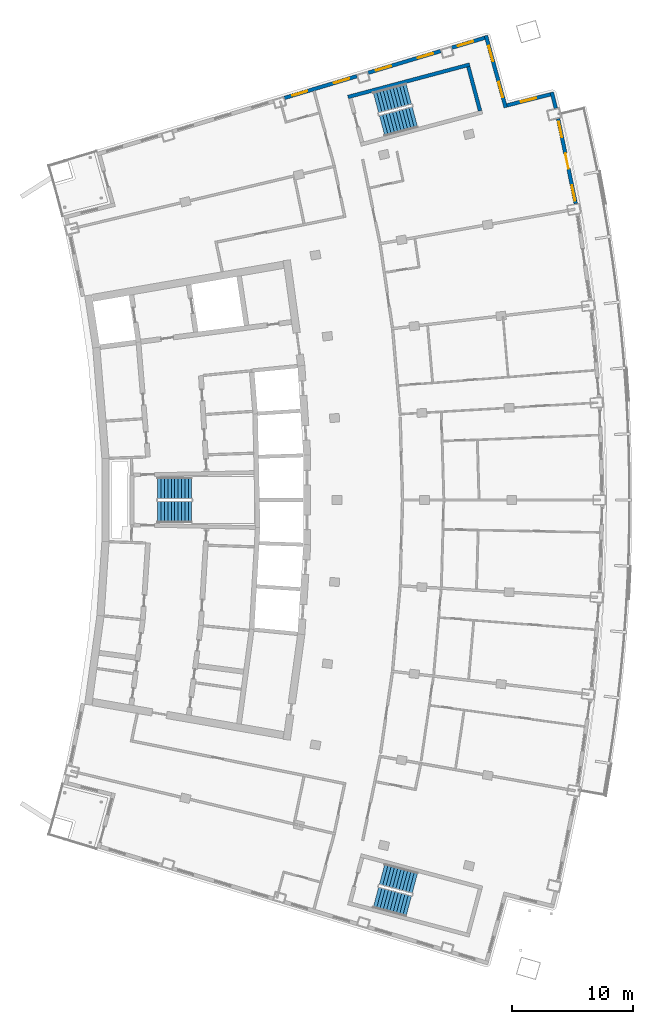
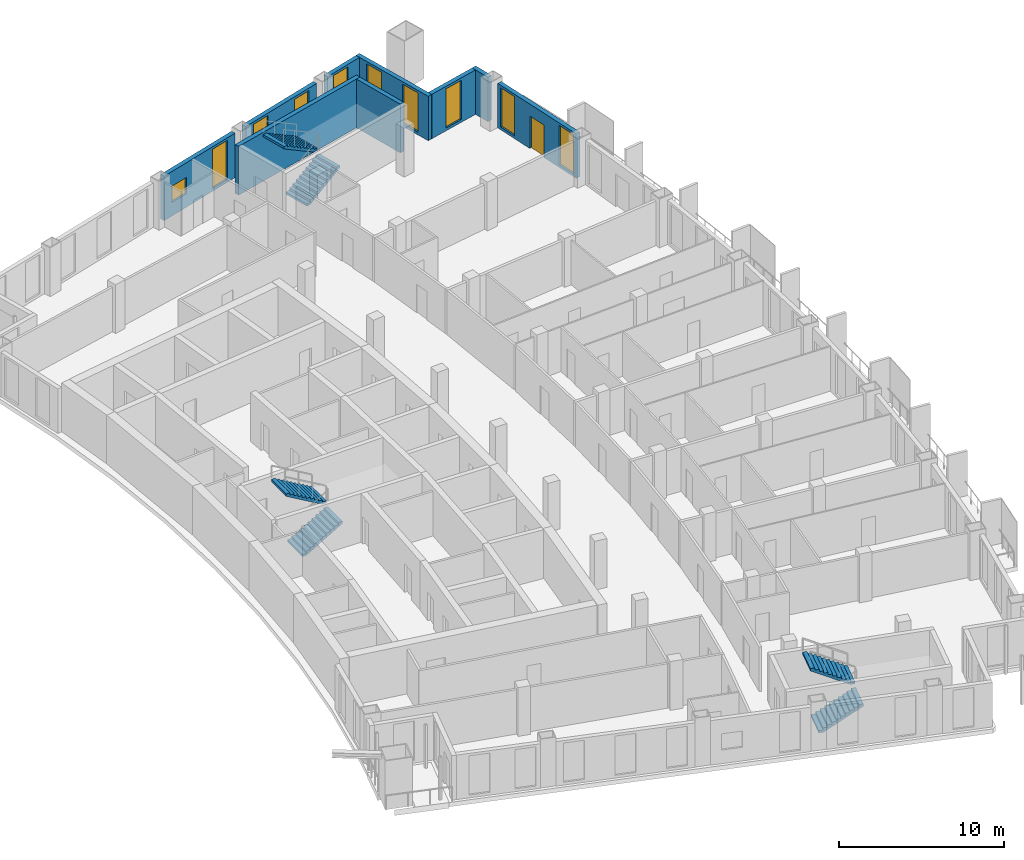
# One storey, part 15 of 18: 10 windows, 9 walls, 6 stair flights, 1 door, 11 openings, 3 elements without a shape of their own.
"""IFC4 building model written with IfcOpenShell, lengths in metres."""

from ifc_helpers import new_model, si_unit, direction, frame, frame_2d, origin, place, context, subcontext, project, spatial, polyline, rectangle, outline, extrude, material, layer, layer_set, type_object, element, fill, aggregate, save


model = new_model("IFC4")

# Units and contexts
model_context = context("Model", 3, precision=1e-05, world=origin(), true_north=direction((0.0, 1.0)))
body_context = subcontext(model_context, "Body", "Model", "MODEL_VIEW")
ifc_project = project(units=[si_unit("LENGTHUNIT", "METRE"), si_unit("AREAUNIT", "SQUARE_METRE"), si_unit("VOLUMEUNIT", "CUBIC_METRE"), si_unit("PLANEANGLEUNIT", "RADIAN"), si_unit("MASSUNIT", "GRAM", prefix="KILO")], contexts=[model_context])

# Site, building, storey
site_placement = place(None, origin())
site = spatial("IfcSite", under=ifc_project, at=site_placement, CompositionType="ELEMENT")
building_placement = place(site_placement, origin())
building = spatial("IfcBuilding", under=site, at=building_placement, Name="Alderwake Tower", CompositionType="ELEMENT")
storey_placement = place(building_placement, frame((0.0, 0.0, 225.199951171875)))
storey = spatial("IfcBuildingStorey", under=building, at=storey_placement, Name="L56", CompositionType="ELEMENT", Elevation=225.199951171875)

# Walls
ifc_material_1 = material(Name="Concrete C70/85", Category="concrete")
ifc_layer_1 = layer(ifc_material_1, 0.300048828125)
ifc_layer_set_1 = layer_set([ifc_layer_1], Name="Core wall stair enclosure 300 C70-85")
wall_type_1 = type_object("IfcWallType", Name="Core wall stair enclosure 300 C70-85", PredefinedType="SHEAR", material=ifc_layer_set_1)
wall_1_placement = place(storey_placement, frame((36.71142578125, 94.182373046875, 0.0), z_axis=(0.0, 0.0, 1.0), x_axis=(0.966309214305, 0.257383958996, 0.0)))
element("IfcWall", 1, at=wall_1_placement, inside=storey, type_object=wall_type_1, Name="Core wall CW.082", PredefinedType="SHEAR", context=body_context, shape_type="SweptSolid", body=[
    extrude(rectangle(XDim=10.360107421875, YDim=0.300048828125, at=frame_2d((5.18017578125, 0.0))), origin(), (0.0, 0.0, 1.0), 3.60009765625),
])
wall_2_placement = place(storey_placement, frame((47.581298828125, 93.041748046875, 0.0), z_axis=(0.0, 0.0, 1.0), x_axis=(-0.257366821694, 0.966313778796, 0.0)))
element("IfcWall", 2, at=wall_2_placement, inside=storey, type_object=wall_type_1, Name="Core wall CW.081", PredefinedType="SHEAR", context=body_context, shape_type="SweptSolid", body=[
    extrude(rectangle(XDim=3.749755859375, YDim=0.300048828125, at=frame_2d((1.875, 0.0))), origin(), (0.0, 0.0, 1.0), 3.60009765625),
])

# Wall, openings, door, windows
ifc_material_2 = material(Name="Precast concrete C50/60 spandrel panel", Category="concrete")
ifc_layer_2 = layer(ifc_material_2, 0.300048828125)
ifc_layer_set_2 = layer_set([ifc_layer_2], Name="External wall EW1 Precast concrete C50/60 spandrel")
wall_type_2 = type_object("IfcWallType", Name="External wall EW1 Precast concrete C50/60 spandrel", PredefinedType="SOLIDWALL", material=ifc_layer_set_2)
wall_3_placement = place(storey_placement, frame((55.456787109375, 85.404052734375, 0.0), z_axis=(0.0, 0.0, 1.0), x_axis=(-0.202739139566, 0.979232781972, 0.0)))
wall_3 = element("IfcWall", 3, at=wall_3_placement, inside=storey, type_object=wall_type_2, Name="External wall 19", PredefinedType="SOLIDWALL", context=body_context, shape_type="SweptSolid", body=[
    extrude(rectangle(XDim=7.1337890625, YDim=0.300048828125, at=frame_2d((3.56689453125, 0.0))), origin(), (0.0, 0.0, 1.0), 3.280029296875),
])
opening_1_placement = place(wall_3_placement, frame((0.24560546875, 0.0, 0.199951171875)))
opening_1 = element("IfcOpeningElement", 4, at=opening_1_placement, cuts=wall_3, Name="Opening W1", PredefinedType="OPENING", context=body_context, shape_type="SweptSolid", body=[
    extrude(rectangle(XDim=1.300048828125, YDim=2.89990234375, at=frame_2d((0.64990234375, 1.449951171875))), frame((0.0, 0.159912109375, 0.0), z_axis=(0.0, -1.0, 0.0), x_axis=(1.0, 0.0, 0.0)), (0.0, 0.0, 1.0), 0.320068359375),
])
opening_2_placement = place(wall_3_placement, frame((2.916748046875, 0.0, 0.0)))
opening_2 = element("IfcOpeningElement", 5, at=opening_2_placement, cuts=wall_3, Name="Opening D08", PredefinedType="OPENING", context=body_context, shape_type="SweptSolid", body=[
    extrude(rectangle(XDim=1.300048828125, YDim=2.39990234375, at=frame_2d((0.64990234375, 1.199951171875))), frame((0.0, 0.159912109375, 0.0), z_axis=(0.0, -1.0, 0.0), x_axis=(1.0, 0.0, 0.0)), (0.0, 0.0, 1.0), 0.320068359375),
])
opening_3_placement = place(wall_3_placement, frame((5.588134765625, 0.0, 0.199951171875)))
opening_3 = element("IfcOpeningElement", 6, at=opening_3_placement, cuts=wall_3, Name="Opening W1", PredefinedType="OPENING", context=body_context, shape_type="SweptSolid", body=[
    extrude(rectangle(XDim=1.300048828125, YDim=2.89990234375, at=frame_2d((0.64990234375, 1.449951171875))), frame((0.0, 0.159912109375, 0.0), z_axis=(0.0, -1.0, 0.0), x_axis=(1.0, 0.0, 0.0)), (0.0, 0.0, 1.0), 0.320068359375),
])
ifc_material_3 = material(Name="Bronze tinted glass in aluminium frame", Category="aluminium")
door_type = type_object("IfcDoorType", Name="Balcony door BD sliding", OperationType="SLIDING_TO_LEFT", PredefinedType="DOOR", material=ifc_material_3)
door_placement = place(opening_2_placement, origin())
door = element("IfcDoor", 7, at=door_placement, inside=storey, type_object=door_type, Name="Door D08", OperationType="SLIDING_TO_LEFT", OverallHeight=2.39990234375, OverallWidth=1.300048828125, PredefinedType="DOOR", context=body_context, shape_type="SweptSolid", body=[
    extrude(rectangle(XDim=1.300048828125, YDim=2.39990234375, at=frame_2d((0.64990234375, 1.199951171875))), frame((0.0, 0.02490234375, 0.0), z_axis=(0.0, -1.0, 0.0), x_axis=(1.0, 0.0, 0.0)), (0.0, 0.0, 1.0), 0.050048828125),
])
fill(opening_2, door)
ifc_material_4 = material(Name="Bronze tinted glass in aluminium frame", Category="aluminium")
window_type_1 = type_object("IfcWindowType", Name="Window W1 tall fixed and vent", PartitioningType="DOUBLE_PANEL_VERTICAL", PredefinedType="WINDOW", material=ifc_material_4)
window_1_placement = place(opening_1_placement, origin())
window_1 = element("IfcWindow", 8, at=window_1_placement, inside=storey, type_object=window_type_1, Name="Window W1 tall fixed and vent", OverallHeight=2.89990234375, OverallWidth=1.300048828125, PartitioningType="DOUBLE_PANEL_VERTICAL", PredefinedType="WINDOW", context=body_context, shape_type="SweptSolid", body=[
    extrude(rectangle(XDim=1.300048828125, YDim=2.89990234375, at=frame_2d((0.64990234375, 1.449951171875))), frame((0.0, 0.030029296875, 0.0), z_axis=(0.0, -1.0, 0.0), x_axis=(1.0, 0.0, 0.0)), (0.0, 0.0, 1.0), 0.06005859375),
])
fill(opening_1, window_1)
window_2_placement = place(opening_3_placement, origin())
window_2 = element("IfcWindow", 9, at=window_2_placement, inside=storey, type_object=window_type_1, Name="Window W1 tall fixed and vent", OverallHeight=2.89990234375, OverallWidth=1.300048828125, PartitioningType="DOUBLE_PANEL_VERTICAL", PredefinedType="WINDOW", context=body_context, shape_type="SweptSolid", body=[
    extrude(rectangle(XDim=1.300048828125, YDim=2.89990234375, at=frame_2d((0.64990234375, 1.449951171875))), frame((0.0, 0.030029296875, 0.0), z_axis=(0.0, -1.0, 0.0), x_axis=(1.0, 0.0, 0.0)), (0.0, 0.0, 1.0), 0.06005859375),
])
fill(opening_3, window_2)

# Wall
wall_4_placement = place(storey_placement, frame((53.817138671875, 93.24609375, 0.0), z_axis=(0.0, 0.0, 1.0), x_axis=(-0.238360405039, 0.971176769342, 0.0)))
element("IfcWall", 10, at=wall_4_placement, inside=storey, type_object=wall_type_2, Name="External wall 20", PredefinedType="SOLIDWALL", context=body_context, shape_type="SweptSolid", body=[
    extrude(rectangle(XDim=1.376708984375, YDim=0.300048828125, at=frame_2d((0.6884765625, 0.0))), origin(), (0.0, 0.0, 1.0), 3.280029296875),
])

# Wall, opening, window
ifc_material_5 = material(Name="Bronze metal cladding on lightweight framing")
ifc_layer_3 = layer(ifc_material_5, 0.300048828125)
ifc_layer_set_3 = layer_set([ifc_layer_3], Name="External wall EW2 bronze metal cladding")
wall_type_3 = type_object("IfcWallType", Name="External wall EW2 bronze metal cladding", PredefinedType="SOLIDWALL", material=ifc_layer_set_3)
wall_5_placement = place(storey_placement, frame((53.37939453125, 94.400390625, 0.0), z_axis=(0.0, 0.0, 1.0), x_axis=(-0.969426922046, -0.245380200529, 0.0)))
wall_5 = element("IfcWall", 11, at=wall_5_placement, inside=storey, type_object=wall_type_3, Name="External wall 21", PredefinedType="SOLIDWALL", context=body_context, shape_type="SweptSolid", body=[
    extrude(rectangle(XDim=3.6943359375, YDim=0.300048828125, at=frame_2d((1.84716796875, 0.0))), origin(), (0.0, 0.0, 1.0), 3.280029296875),
])
opening_4_placement = place(wall_5_placement, frame((1.197021484375, 0.0, 0.199951171875)))
opening_4 = element("IfcOpeningElement", 12, at=opening_4_placement, cuts=wall_5, Name="Opening W1", PredefinedType="OPENING", context=body_context, shape_type="SweptSolid", body=[
    extrude(rectangle(XDim=1.300048828125, YDim=2.89990234375, at=frame_2d((0.64990234375, 1.449951171875))), frame((0.0, 0.159912109375, 0.0), z_axis=(0.0, -1.0, 0.0), x_axis=(1.0, 0.0, 0.0)), (0.0, 0.0, 1.0), 0.320068359375),
])
window_3_placement = place(opening_4_placement, origin())
window_3 = element("IfcWindow", 13, at=window_3_placement, inside=storey, type_object=window_type_1, Name="Window W1 tall fixed and vent", OverallHeight=2.89990234375, OverallWidth=1.300048828125, PartitioningType="DOUBLE_PANEL_VERTICAL", PredefinedType="WINDOW", context=body_context, shape_type="SweptSolid", body=[
    extrude(rectangle(XDim=1.300048828125, YDim=2.89990234375, at=frame_2d((0.64990234375, 1.449951171875))), frame((0.0, 0.030029296875, 0.0), z_axis=(0.0, -1.0, 0.0), x_axis=(1.0, 0.0, 0.0)), (0.0, 0.0, 1.0), 0.06005859375),
])
fill(opening_4, window_3)

# Wall, openings, windows
wall_6_placement = place(storey_placement, frame((49.6923828125, 93.3125, 0.0), z_axis=(0.0, 0.0, 1.0), x_axis=(-0.265086321633, 0.96422468444, 0.0)))
wall_6 = element("IfcWall", 14, at=wall_6_placement, inside=storey, type_object=wall_type_3, Name="External wall 22", PredefinedType="SOLIDWALL", context=body_context, shape_type="SweptSolid", body=[
    extrude(rectangle(XDim=6.146728515625, YDim=0.300048828125, at=frame_2d((3.0732421875, 0.0))), origin(), (0.0, 0.0, 1.0), 3.280029296875),
])
opening_5_placement = place(wall_6_placement, frame((0.88671875, 0.0, 0.199951171875)))
opening_5 = element("IfcOpeningElement", 15, at=opening_5_placement, cuts=wall_6, Name="Opening W1", PredefinedType="OPENING", context=body_context, shape_type="SweptSolid", body=[
    extrude(rectangle(XDim=1.300048828125, YDim=2.89990234375, at=frame_2d((0.64990234375, 1.449951171875))), frame((0.0, 0.159912109375, 0.0), z_axis=(0.0, -1.0, 0.0), x_axis=(1.0, 0.0, 0.0)), (0.0, 0.0, 1.0), 0.320068359375),
])
opening_6_placement = place(wall_6_placement, frame((3.9599609375, 0.0, 0.199951171875)))
opening_6 = element("IfcOpeningElement", 16, at=opening_6_placement, cuts=wall_6, Name="Opening W1", PredefinedType="OPENING", context=body_context, shape_type="SweptSolid", body=[
    extrude(rectangle(XDim=1.300048828125, YDim=2.89990234375, at=frame_2d((0.64990234375, 1.449951171875))), frame((0.0, 0.159912109375, 0.0), z_axis=(0.0, -1.0, 0.0), x_axis=(1.0, 0.0, 0.0)), (0.0, 0.0, 1.0), 0.320068359375),
])
window_4_placement = place(opening_5_placement, origin())
window_4 = element("IfcWindow", 17, at=window_4_placement, inside=storey, type_object=window_type_1, Name="Window W1 tall fixed and vent", OverallHeight=2.89990234375, OverallWidth=1.300048828125, PartitioningType="DOUBLE_PANEL_VERTICAL", PredefinedType="WINDOW", context=body_context, shape_type="SweptSolid", body=[
    extrude(rectangle(XDim=1.300048828125, YDim=2.89990234375, at=frame_2d((0.64990234375, 1.449951171875))), frame((0.0, 0.030029296875, 0.0), z_axis=(0.0, -1.0, 0.0), x_axis=(1.0, 0.0, 0.0)), (0.0, 0.0, 1.0), 0.06005859375),
])
fill(opening_5, window_4)
window_5_placement = place(opening_6_placement, origin())
window_5 = element("IfcWindow", 18, at=window_5_placement, inside=storey, type_object=window_type_1, Name="Window W1 tall fixed and vent", OverallHeight=2.89990234375, OverallWidth=1.300048828125, PartitioningType="DOUBLE_PANEL_VERTICAL", PredefinedType="WINDOW", context=body_context, shape_type="SweptSolid", body=[
    extrude(rectangle(XDim=1.300048828125, YDim=2.89990234375, at=frame_2d((0.64990234375, 1.449951171875))), frame((0.0, 0.030029296875, 0.0), z_axis=(0.0, -1.0, 0.0), x_axis=(1.0, 0.0, 0.0)), (0.0, 0.0, 1.0), 0.06005859375),
])
fill(opening_6, window_5)

# Wall, opening, window
wall_7_placement = place(storey_placement, frame((47.959228515625, 99.051513671875, 0.0), z_axis=(0.0, 0.0, 1.0), x_axis=(-0.957764339178, -0.287554291569, 0.0)))
wall_7 = element("IfcWall", 19, at=wall_7_placement, inside=storey, type_object=wall_type_3, Name="External wall 23", PredefinedType="SOLIDWALL", context=body_context, shape_type="SweptSolid", body=[
    extrude(rectangle(XDim=2.8212890625, YDim=0.300048828125, at=frame_2d((1.41064453125, 0.0))), origin(), (0.0, 0.0, 1.0), 3.280029296875),
])
opening_7_placement = place(wall_7_placement, frame((0.9990234375, 0.0, 0.199951171875)))
opening_7 = element("IfcOpeningElement", 20, at=opening_7_placement, cuts=wall_7, Name="Opening W1", PredefinedType="OPENING", context=body_context, shape_type="SweptSolid", body=[
    extrude(rectangle(XDim=1.300048828125, YDim=2.89990234375, at=frame_2d((0.64990234375, 1.449951171875))), frame((0.0, 0.159912109375, 0.0), z_axis=(0.0, -1.0, 0.0), x_axis=(1.0, 0.0, 0.0)), (0.0, 0.0, 1.0), 0.320068359375),
])
window_6_placement = place(opening_7_placement, origin())
window_6 = element("IfcWindow", 21, at=window_6_placement, inside=storey, type_object=window_type_1, Name="Window W1 tall fixed and vent", OverallHeight=2.89990234375, OverallWidth=1.300048828125, PartitioningType="DOUBLE_PANEL_VERTICAL", PredefinedType="WINDOW", context=body_context, shape_type="SweptSolid", body=[
    extrude(rectangle(XDim=1.300048828125, YDim=2.89990234375, at=frame_2d((0.64990234375, 1.449951171875))), frame((0.0, 0.030029296875, 0.0), z_axis=(0.0, -1.0, 0.0), x_axis=(1.0, 0.0, 0.0)), (0.0, 0.0, 1.0), 0.06005859375),
])
fill(opening_7, window_6)

# Wall, openings, windows
wall_8_placement = place(storey_placement, frame((44.34375, 97.966064453125, 0.0), z_axis=(0.0, 0.0, 1.0), x_axis=(-0.95776710022, -0.287545095136, 0.0)))
wall_8 = element("IfcWall", 22, at=wall_8_placement, inside=storey, type_object=wall_type_3, Name="External wall 24", PredefinedType="SOLIDWALL", context=body_context, shape_type="SweptSolid", body=[
    extrude(rectangle(XDim=6.24658203125, YDim=0.300048828125, at=frame_2d((3.123291015625, 0.0))), origin(), (0.0, 0.0, 1.0), 3.280029296875),
])
opening_8_placement = place(wall_8_placement, frame((0.67333984375, 0.0, 0.199951171875)))
opening_8 = element("IfcOpeningElement", 23, at=opening_8_placement, cuts=wall_8, Name="Opening W1", PredefinedType="OPENING", context=body_context, shape_type="SweptSolid", body=[
    extrude(rectangle(XDim=1.300048828125, YDim=2.89990234375, at=frame_2d((0.64990234375, 1.449951171875))), frame((0.0, 0.159912109375, 0.0), z_axis=(0.0, -1.0, 0.0), x_axis=(1.0, 0.0, 0.0)), (0.0, 0.0, 1.0), 0.320068359375),
])
opening_9_placement = place(wall_8_placement, frame((4.273193359375, 0.0, 0.199951171875)))
opening_9 = element("IfcOpeningElement", 24, at=opening_9_placement, cuts=wall_8, Name="Opening W1", PredefinedType="OPENING", context=body_context, shape_type="SweptSolid", body=[
    extrude(rectangle(XDim=1.300048828125, YDim=2.89990234375, at=frame_2d((0.64990234375, 1.449951171875))), frame((0.0, 0.159912109375, 0.0), z_axis=(0.0, -1.0, 0.0), x_axis=(1.0, 0.0, 0.0)), (0.0, 0.0, 1.0), 0.320068359375),
])
window_7_placement = place(opening_8_placement, origin())
window_7 = element("IfcWindow", 25, at=window_7_placement, inside=storey, type_object=window_type_1, Name="Window W1 tall fixed and vent", OverallHeight=2.89990234375, OverallWidth=1.300048828125, PartitioningType="DOUBLE_PANEL_VERTICAL", PredefinedType="WINDOW", context=body_context, shape_type="SweptSolid", body=[
    extrude(rectangle(XDim=1.300048828125, YDim=2.89990234375, at=frame_2d((0.64990234375, 1.449951171875))), frame((0.0, 0.030029296875, 0.0), z_axis=(0.0, -1.0, 0.0), x_axis=(1.0, 0.0, 0.0)), (0.0, 0.0, 1.0), 0.06005859375),
])
fill(opening_8, window_7)
window_8_placement = place(opening_9_placement, origin())
window_8 = element("IfcWindow", 26, at=window_8_placement, inside=storey, type_object=window_type_1, Name="Window W1 tall fixed and vent", OverallHeight=2.89990234375, OverallWidth=1.300048828125, PartitioningType="DOUBLE_PANEL_VERTICAL", PredefinedType="WINDOW", context=body_context, shape_type="SweptSolid", body=[
    extrude(rectangle(XDim=1.300048828125, YDim=2.89990234375, at=frame_2d((0.64990234375, 1.449951171875))), frame((0.0, 0.030029296875, 0.0), z_axis=(0.0, -1.0, 0.0), x_axis=(1.0, 0.0, 0.0)), (0.0, 0.0, 1.0), 0.06005859375),
])
fill(opening_9, window_8)

wall_9_placement = place(storey_placement, frame((37.44775390625, 95.895751953125, 0.0), z_axis=(0.0, 0.0, 1.0), x_axis=(-0.95776710022, -0.287545095136, 0.0)))
wall_9 = element("IfcWall", 27, at=wall_9_placement, inside=storey, type_object=wall_type_3, Name="External wall 25", PredefinedType="SOLIDWALL", context=body_context, shape_type="SweptSolid", body=[
    extrude(rectangle(XDim=6.24658203125, YDim=0.300048828125, at=frame_2d((3.123291015625, 0.0))), origin(), (0.0, 0.0, 1.0), 3.280029296875),
])
opening_10_placement = place(wall_9_placement, frame((0.673095703125, 0.0, 0.199951171875)))
opening_10 = element("IfcOpeningElement", 28, at=opening_10_placement, cuts=wall_9, Name="Opening W1", PredefinedType="OPENING", context=body_context, shape_type="SweptSolid", body=[
    extrude(rectangle(XDim=1.300048828125, YDim=2.89990234375, at=frame_2d((0.64990234375, 1.449951171875))), frame((0.0, 0.159912109375, 0.0), z_axis=(0.0, -1.0, 0.0), x_axis=(1.0, 0.0, 0.0)), (0.0, 0.0, 1.0), 0.320068359375),
])
opening_11_placement = place(wall_9_placement, frame((4.273193359375, 0.0, 1.0)))
opening_11 = element("IfcOpeningElement", 29, at=opening_11_placement, cuts=wall_9, Name="Opening W2", PredefinedType="OPENING", context=body_context, shape_type="SweptSolid", body=[
    extrude(rectangle(XDim=1.300048828125, YDim=1.199951171875, at=frame_2d((0.64990234375, 0.60009765625))), frame((0.0, 0.159912109375, 0.0), z_axis=(0.0, -1.0, 0.0), x_axis=(1.0, 0.0, 0.0)), (0.0, 0.0, 1.0), 0.320068359375),
])
window_9_placement = place(opening_10_placement, origin())
window_9 = element("IfcWindow", 30, at=window_9_placement, inside=storey, type_object=window_type_1, Name="Window W1 tall fixed and vent", OverallHeight=2.89990234375, OverallWidth=1.300048828125, PartitioningType="DOUBLE_PANEL_VERTICAL", PredefinedType="WINDOW", context=body_context, shape_type="SweptSolid", body=[
    extrude(rectangle(XDim=1.300048828125, YDim=2.89990234375, at=frame_2d((0.64990234375, 1.449951171875))), frame((0.0, 0.030029296875, 0.0), z_axis=(0.0, -1.0, 0.0), x_axis=(1.0, 0.0, 0.0)), (0.0, 0.0, 1.0), 0.06005859375),
])
fill(opening_10, window_9)
ifc_material_6 = material(Name="Bronze tinted glass in aluminium frame", Category="aluminium")
window_type_2 = type_object("IfcWindowType", Name="Window W2 kitchen and bath", PartitioningType="SINGLE_PANEL", PredefinedType="WINDOW", material=ifc_material_6)
window_10_placement = place(opening_11_placement, origin())
window_10 = element("IfcWindow", 31, at=window_10_placement, inside=storey, type_object=window_type_2, Name="Window W2 kitchen and bath", OverallHeight=1.199951171875, OverallWidth=1.300048828125, PartitioningType="SINGLE_PANEL", PredefinedType="WINDOW", context=body_context, shape_type="SweptSolid", body=[
    extrude(rectangle(XDim=1.300048828125, YDim=1.199951171875, at=frame_2d((0.64990234375, 0.60009765625))), frame((0.0, 0.030029296875, 0.0), z_axis=(0.0, -1.0, 0.0), x_axis=(1.0, 0.0, 0.0)), (0.0, 0.0, 1.0), 0.06005859375),
])
fill(opening_11, window_10)

# Stair, stair flights
ifc_material_7 = material(Name="Concrete C40/50", Category="concrete")
stair_type = type_object("IfcStairType", Name="Core exit stair", PredefinedType="HALF_TURN_STAIR", material=ifc_material_7)
stair_1_placement = place(storey_placement, origin())
stair_1 = element("IfcStair", 32, at=stair_1_placement, inside=storey, type_object=stair_type, Name="L56 Exit Stair B", PredefinedType="HALF_TURN_STAIR")
ifc_material_8 = material(Name="Concrete C40/50", Category="concrete")
ifc_layer_4 = layer(ifc_material_8, 0.14990234375)
ifc_layer_set_4 = layer_set([ifc_layer_4], Name="Core stair flight")
stair_flight_type = type_object("IfcStairFlightType", Name="Core stair flight", PredefinedType="STRAIGHT", material=ifc_layer_set_4)
stair_flight_1_placement = place(storey_placement, frame((21.0400390625, 60.02490234375, 0.0), z_axis=(0.0, 0.0, 1.0), x_axis=(1.0, 0.0, 0.0)))
stair_flight_1 = element("IfcStairFlight", 33, at=stair_flight_1_placement, type_object=stair_flight_type, Name="ST-B flight 1", NumberOfRisers=11, NumberOfTreads=10, PredefinedType="STRAIGHT", RiserHeight=0.163636364, TreadLength=0.28, context=body_context, shape_type="SweptSolid", body=[
    extrude(outline(polyline([(0.0, 0.0), (0.0, 0.16357421875), (0.280029296875, 0.16357421875), (0.280029296875, 0.327392578125), (0.56005859375, 0.327392578125), (0.56005859375, 0.490966796875), (0.840087890625, 0.490966796875), (0.840087890625, 0.654541015625), (1.1201171875, 0.654541015625), (1.1201171875, 0.818115234375), (1.39990234375, 0.818115234375), (1.39990234375, 0.98193359375), (1.679931640625, 0.98193359375), (1.679931640625, 1.1455078125), (1.9599609375, 1.1455078125), (1.9599609375, 1.30908203125), (2.239990234375, 1.30908203125), (2.239990234375, 1.47265625), (2.52001953125, 1.47265625), (2.52001953125, 1.636474609375), (2.800048828125, 1.636474609375), (2.800048828125, 1.800048828125), (2.800048828125, 1.462646484375), (0.297119140625, 0.0), (0.0, 0.0)])), frame((0.0, 0.89990234375, 0.0), z_axis=(0.0, -1.0, 0.0), x_axis=(1.0, 0.0, 0.0)), (0.0, 0.0, 1.0), 1.800048828125),
])
stair_flight_2_placement = place(storey_placement, frame((23.840087890625, 61.97509765625, 1.800048828125), z_axis=(0.0, 0.0, 1.0), x_axis=(-1.0, 0.0, 0.0)))
stair_flight_2 = element("IfcStairFlight", 34, at=stair_flight_2_placement, type_object=stair_flight_type, Name="ST-B flight 2", NumberOfRisers=11, NumberOfTreads=10, PredefinedType="STRAIGHT", RiserHeight=0.163636364, TreadLength=0.28, context=body_context, shape_type="SweptSolid", body=[
    extrude(outline(polyline([(0.0, 0.0), (0.0, 0.16357421875), (0.280029296875, 0.16357421875), (0.280029296875, 0.327392578125), (0.56005859375, 0.327392578125), (0.56005859375, 0.490966796875), (0.840087890625, 0.490966796875), (0.840087890625, 0.654541015625), (1.1201171875, 0.654541015625), (1.1201171875, 0.818115234375), (1.39990234375, 0.818115234375), (1.39990234375, 0.98193359375), (1.679931640625, 0.98193359375), (1.679931640625, 1.1455078125), (1.9599609375, 1.1455078125), (1.9599609375, 1.30908203125), (2.239990234375, 1.30908203125), (2.239990234375, 1.47265625), (2.52001953125, 1.47265625), (2.52001953125, 1.636474609375), (2.800048828125, 1.636474609375), (2.800048828125, 1.800048828125), (2.800048828125, 1.462646484375), (0.297119140625, 0.0), (0.0, 0.0)])), frame((0.0, 0.89990234375, 0.0), z_axis=(0.0, -1.0, 0.0), x_axis=(1.0, 0.0, 0.0)), (0.0, 0.0, 1.0), 1.800048828125),
])
aggregate(stair_1, [stair_flight_1, stair_flight_2])

stair_2_placement = place(storey_placement, origin())
stair_2 = element("IfcStair", 35, at=stair_2_placement, inside=storey, type_object=stair_type, Name="L56 Exit Stair A", PredefinedType="HALF_TURN_STAIR")
stair_flight_3_placement = place(storey_placement, frame((39.512939453125, 91.823974609375, 0.0), z_axis=(0.0, 0.0, 1.0), x_axis=(0.966309627437, 0.257382407951, 0.0)))
stair_flight_3 = element("IfcStairFlight", 36, at=stair_flight_3_placement, type_object=stair_flight_type, Name="ST-A flight 1", NumberOfRisers=11, NumberOfTreads=10, PredefinedType="STRAIGHT", RiserHeight=0.163636364, TreadLength=0.28, context=body_context, shape_type="SweptSolid", body=[
    extrude(outline(polyline([(0.0, 0.0), (0.0, 0.16357421875), (0.280029296875, 0.16357421875), (0.280029296875, 0.327392578125), (0.56005859375, 0.327392578125), (0.56005859375, 0.490966796875), (0.840087890625, 0.490966796875), (0.840087890625, 0.654541015625), (1.1201171875, 0.654541015625), (1.1201171875, 0.818115234375), (1.39990234375, 0.818115234375), (1.39990234375, 0.98193359375), (1.679931640625, 0.98193359375), (1.679931640625, 1.1455078125), (1.9599609375, 1.1455078125), (1.9599609375, 1.30908203125), (2.239990234375, 1.30908203125), (2.239990234375, 1.47265625), (2.52001953125, 1.47265625), (2.52001953125, 1.636474609375), (2.800048828125, 1.636474609375), (2.800048828125, 1.800048828125), (2.800048828125, 1.462646484375), (0.297119140625, 0.0), (0.0, 0.0)])), frame((0.0, 0.89990234375, 0.0), z_axis=(0.0, -1.0, 0.0), x_axis=(1.0, 0.0, 0.0)), (0.0, 0.0, 1.0), 1.800048828125),
])
stair_flight_4_placement = place(storey_placement, frame((41.716796875, 94.428955078125, 1.800048828125), z_axis=(0.0, 0.0, 1.0), x_axis=(-0.966309627437, -0.257382407951, 0.0)))
stair_flight_4 = element("IfcStairFlight", 37, at=stair_flight_4_placement, type_object=stair_flight_type, Name="ST-A flight 2", NumberOfRisers=11, NumberOfTreads=10, PredefinedType="STRAIGHT", RiserHeight=0.163636364, TreadLength=0.28, context=body_context, shape_type="SweptSolid", body=[
    extrude(outline(polyline([(0.0, 0.0), (0.0, 0.16357421875), (0.280029296875, 0.16357421875), (0.280029296875, 0.327392578125), (0.56005859375, 0.327392578125), (0.56005859375, 0.490966796875), (0.840087890625, 0.490966796875), (0.840087890625, 0.654541015625), (1.1201171875, 0.654541015625), (1.1201171875, 0.818115234375), (1.39990234375, 0.818115234375), (1.39990234375, 0.98193359375), (1.679931640625, 0.98193359375), (1.679931640625, 1.1455078125), (1.9599609375, 1.1455078125), (1.9599609375, 1.30908203125), (2.239990234375, 1.30908203125), (2.239990234375, 1.47265625), (2.52001953125, 1.47265625), (2.52001953125, 1.636474609375), (2.800048828125, 1.636474609375), (2.800048828125, 1.800048828125), (2.800048828125, 1.462646484375), (0.297119140625, 0.0), (0.0, 0.0)])), frame((0.0, 0.89990234375, 0.0), z_axis=(0.0, -1.0, 0.0), x_axis=(1.0, 0.0, 0.0)), (0.0, 0.0, 1.0), 1.800048828125),
])
aggregate(stair_2, [stair_flight_3, stair_flight_4])

stair_3_placement = place(storey_placement, origin())
stair_3 = element("IfcStair", 38, at=stair_3_placement, inside=storey, type_object=stair_type, Name="L56 Exit Stair C", PredefinedType="HALF_TURN_STAIR")
stair_flight_5_placement = place(storey_placement, frame((39.010986328125, 28.291748046875, 0.0), z_axis=(0.0, 0.0, 1.0), x_axis=(0.966309627437, -0.257382407951, 0.0)))
stair_flight_5 = element("IfcStairFlight", 39, at=stair_flight_5_placement, type_object=stair_flight_type, Name="ST-C flight 1", NumberOfRisers=11, NumberOfTreads=10, PredefinedType="STRAIGHT", RiserHeight=0.163636364, TreadLength=0.28, context=body_context, shape_type="SweptSolid", body=[
    extrude(outline(polyline([(0.0, 0.0), (0.0, 0.16357421875), (0.280029296875, 0.16357421875), (0.280029296875, 0.327392578125), (0.56005859375, 0.327392578125), (0.56005859375, 0.490966796875), (0.840087890625, 0.490966796875), (0.840087890625, 0.654541015625), (1.1201171875, 0.654541015625), (1.1201171875, 0.818115234375), (1.39990234375, 0.818115234375), (1.39990234375, 0.98193359375), (1.679931640625, 0.98193359375), (1.679931640625, 1.1455078125), (1.9599609375, 1.1455078125), (1.9599609375, 1.30908203125), (2.239990234375, 1.30908203125), (2.239990234375, 1.47265625), (2.52001953125, 1.47265625), (2.52001953125, 1.636474609375), (2.800048828125, 1.636474609375), (2.800048828125, 1.800048828125), (2.800048828125, 1.462646484375), (0.297119140625, 0.0), (0.0, 0.0)])), frame((0.0, 0.89990234375, 0.0), z_axis=(0.0, -1.0, 0.0), x_axis=(1.0, 0.0, 0.0)), (0.0, 0.0, 1.0), 1.800048828125),
])
stair_flight_6_placement = place(storey_placement, frame((42.218505859375, 29.455322265625, 1.800048828125), z_axis=(0.0, 0.0, 1.0), x_axis=(-0.966309627437, 0.257382407951, 0.0)))
stair_flight_6 = element("IfcStairFlight", 40, at=stair_flight_6_placement, type_object=stair_flight_type, Name="ST-C flight 2", NumberOfRisers=11, NumberOfTreads=10, PredefinedType="STRAIGHT", RiserHeight=0.163636364, TreadLength=0.28, context=body_context, shape_type="SweptSolid", body=[
    extrude(outline(polyline([(0.0, 0.0), (0.0, 0.16357421875), (0.280029296875, 0.16357421875), (0.280029296875, 0.327392578125), (0.56005859375, 0.327392578125), (0.56005859375, 0.490966796875), (0.840087890625, 0.490966796875), (0.840087890625, 0.654541015625), (1.1201171875, 0.654541015625), (1.1201171875, 0.818115234375), (1.39990234375, 0.818115234375), (1.39990234375, 0.98193359375), (1.679931640625, 0.98193359375), (1.679931640625, 1.1455078125), (1.9599609375, 1.1455078125), (1.9599609375, 1.30908203125), (2.239990234375, 1.30908203125), (2.239990234375, 1.47265625), (2.52001953125, 1.47265625), (2.52001953125, 1.636474609375), (2.800048828125, 1.636474609375), (2.800048828125, 1.800048828125), (2.800048828125, 1.462646484375), (0.297119140625, 0.0), (0.0, 0.0)])), frame((0.0, 0.89990234375, 0.0), z_axis=(0.0, -1.0, 0.0), x_axis=(1.0, 0.0, 0.0)), (0.0, 0.0, 1.0), 1.800048828125),
])
aggregate(stair_3, [stair_flight_5, stair_flight_6])

save(model, "model.ifc")
